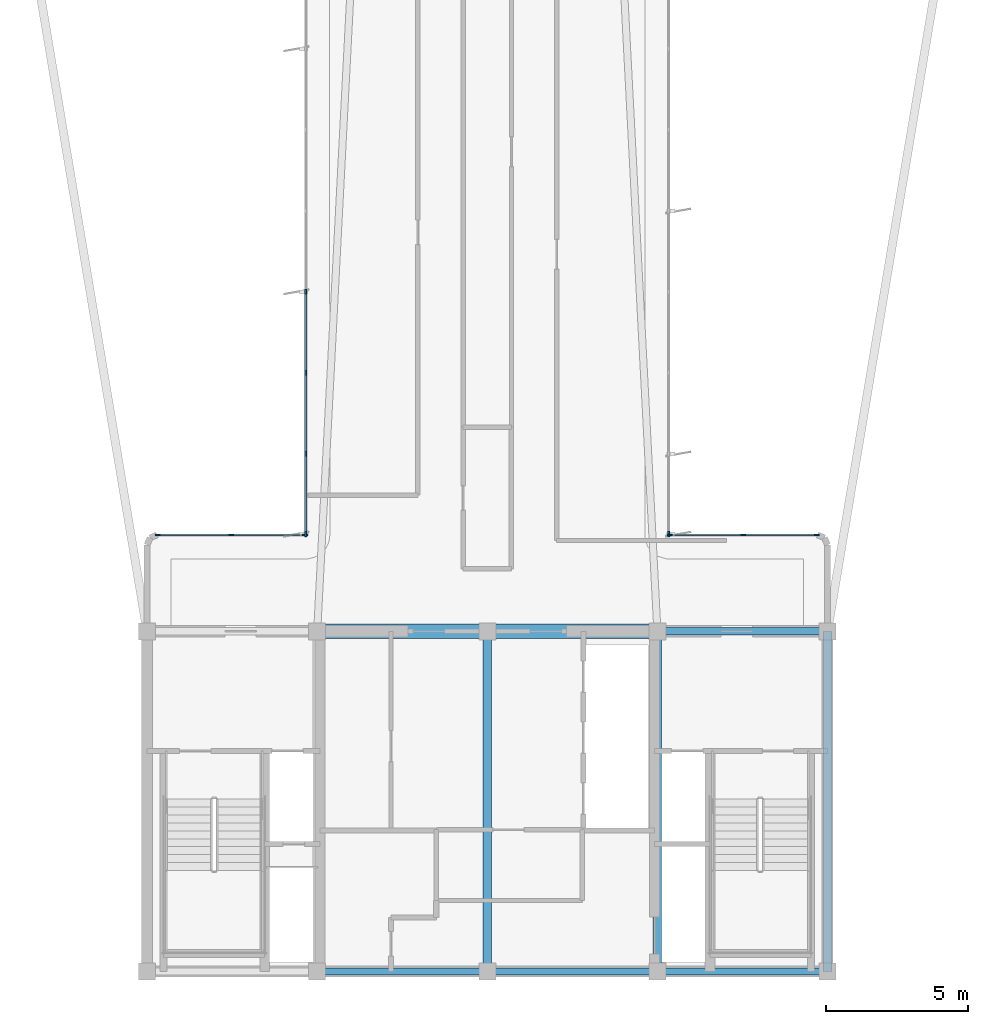
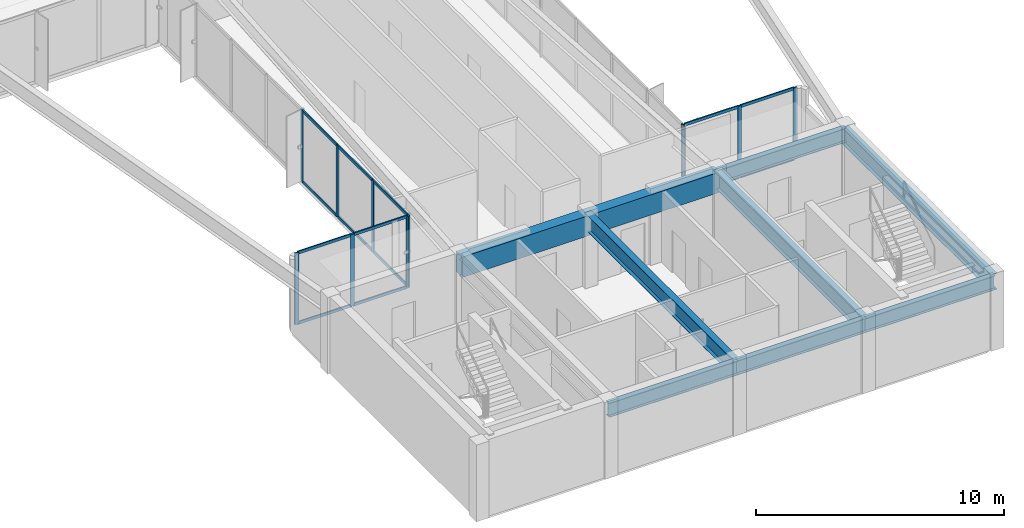
# One storey, part 2 of 15: 25 members, 8 beams, 4 elements without a shape of their own.
"""IFC4 building model written with IfcOpenShell, lengths in metres."""

from ifc_helpers import new_model, si_unit, direction, frame, origin, origin_2d, place, context, subcontext, project, spatial, rectangle, i_section, extrude, source, transform, mapped, material, layer, layer_set, material_profile, profile_set, type_object, element, aggregate, save


model = new_model("IFC4")

# Units and contexts
model_context = context("Model", 3, precision=1e-05, world=origin(), true_north=direction((0.0, 1.0)))
body_context = subcontext(model_context, "Body", "Model", "MODEL_VIEW")
ifc_project = project(units=[si_unit("LENGTHUNIT", "METRE"), si_unit("AREAUNIT", "SQUARE_METRE"), si_unit("VOLUMEUNIT", "CUBIC_METRE"), si_unit("PLANEANGLEUNIT", "RADIAN"), si_unit("MASSUNIT", "GRAM", prefix="KILO")], contexts=[model_context])

# Site, building, storey
site_placement = place(None, origin())
site = spatial("IfcSite", under=ifc_project, at=site_placement, CompositionType="ELEMENT")
building_placement = place(site_placement, origin())
building = spatial("IfcBuilding", under=site, at=building_placement, Name="Brelvock Crest Care Tower", CompositionType="ELEMENT")
storey_placement = place(building_placement, frame((0.0, 0.0, 275.93994140625)))
storey = spatial("IfcBuildingStorey", under=building, at=storey_placement, Name="L70", CompositionType="ELEMENT", Elevation=275.93994140625)

# Beams
ifc_material_1 = material(Name="Steel Grade 350", Category="steel")
ifc_material_profile_1 = material_profile(ifc_material_1, i_section(OverallWidth=0.25, OverallDepth=0.699951171875, WebThickness=0.011962890625, FlangeThickness=0.02001953125, at=origin_2d()), Name="700WB150")
ifc_profile_set_1 = profile_set([ifc_material_profile_1], Name="Steel Grade 350")
beam_type_1 = type_object("IfcBeamType", Name="BM-G4", PredefinedType="BEAM", material=ifc_profile_set_1)
shared_shape_1 = source(origin(), body_context, "Body", "SweptSolid", [
    extrude(i_section(OverallWidth=0.25, OverallDepth=0.699951171875, WebThickness=0.011962890625, FlangeThickness=0.02001953125, at=origin_2d()), origin(), (0.0, 0.0, 1.0), 6.0),
])
for number, where, z_axis, x_axis, name in (
    (1, (30.0, 6.0, 3.18017578125), (1.0, 0.0, 0.0), (0.0, 1.0, 0.0), "BM-CORES-L70-2"),
    (2, (36.0, 6.0, 3.18017578125), (1.0, 0.0, 0.0), (0.0, 1.0, 0.0), "BM-CORES-L70-3"),
    (3, (42.0, 6.0, 3.18017578125), (1.0, 0.0, 0.0), (0.0, 1.0, 0.0), "BM-CORES-L70-4"),
    (4, (42.0, 18.0, 3.18017578125), (1.0, 0.0, 0.0), (0.0, 1.0, 0.0), "BM-COREN-L70-4"),
):
    element("IfcBeam", number, at=place(storey_placement, frame(where, z_axis=z_axis, x_axis=x_axis)), inside=storey, type_object=beam_type_1, Name=name, PredefinedType="BEAM", context=body_context, shape_type="MappedRepresentation", body=[
        mapped(shared_shape_1, transform((0.0, 0.0, 0.0), x_axis=(1.0, 0.0, 0.0), y_axis=(0.0, 1.0, 0.0), z_axis=(0.0, 0.0, 1.0), scale=1.0)),
    ])
ifc_material_profile_2 = material_profile(ifc_material_1, i_section(OverallWidth=0.300048828125, OverallDepth=0.800048828125, WebThickness=0.013916015625, FlangeThickness=0.02197265625, at=origin_2d()), Name="800WB192")
ifc_profile_set_2 = profile_set([ifc_material_profile_2], Name="Steel Grade 350")
beam_type_2 = type_object("IfcBeamType", Name="BM-G5", PredefinedType="BEAM", material=ifc_profile_set_2)
shared_shape_2 = source(origin(), body_context, "Body", "SweptSolid", [
    extrude(i_section(OverallWidth=0.300048828125, OverallDepth=0.800048828125, WebThickness=0.013916015625, FlangeThickness=0.02197265625, at=origin_2d()), origin(), (0.0, 0.0, 1.0), 12.0),
])
for number, where, z_axis, x_axis, name in (
    (5, (36.0, 6.0, 3.130126953125), (0.0, 1.0, 0.0), (-1.0, 0.0, 0.0), "BM-COREX-L70-3"),
    (6, (42.0, 6.0, 3.130126953125), (0.0, 1.0, 0.0), (-1.0, 0.0, 0.0), "BM-COREX-L70-4"),
    (7, (48.0, 6.0, 3.130126953125), (0.0, 1.0, 0.0), (-1.0, 0.0, 0.0), "BM-COREX-L70-5"),
):
    element("IfcBeam", number, at=place(storey_placement, frame(where, z_axis=z_axis, x_axis=x_axis)), inside=storey, type_object=beam_type_2, Name=name, PredefinedType="BEAM", context=body_context, shape_type="MappedRepresentation", body=[
        mapped(shared_shape_2, transform((0.0, 0.0, 0.0), x_axis=(1.0, 0.0, 0.0), y_axis=(0.0, 1.0, 0.0), z_axis=(0.0, 0.0, 1.0), scale=1.0)),
    ])
ifc_material_2 = material(Name="Concrete S65 (65 MPa)", Category="concrete")
ifc_material_profile_3 = material_profile(ifc_material_2, rectangle(XDim=0.5, YDim=1.0, at=origin_2d()), Name="RC500x1000")
ifc_profile_set_3 = profile_set([ifc_material_profile_3], Name="Concrete S65 (65 MPa)")
beam_type_3 = type_object("IfcBeamType", Name="BM-LN2", PredefinedType="LINTEL", material=ifc_profile_set_3)
shared_shape_3 = source(origin(), body_context, "Body", "SweptSolid", [
    extrude(rectangle(XDim=0.5, YDim=1.0, at=origin_2d()), origin(), (0.0, 0.0, 1.0), 12.0),
])
beam_placement = place(storey_placement, frame((30.0, 18.0, 3.030029296875), z_axis=(1.0, 0.0, 0.0), x_axis=(0.0, 1.0, 0.0)))
element("IfcBeam", 8, at=beam_placement, inside=storey, type_object=beam_type_3, Name="L70 Core Coupling Lintel Beam", PredefinedType="LINTEL", context=body_context, shape_type="MappedRepresentation", body=[
    mapped(shared_shape_3, transform((0.0, 0.0, 0.0), x_axis=(1.0, 0.0, 0.0), y_axis=(0.0, 1.0, 0.0), z_axis=(0.0, 0.0, 1.0), scale=1.0)),
])

# Curtain wall, members
ifc_material_3 = material(Name="Dark Glass Double Glazed Low-E", Category="glass")
ifc_layer = layer(ifc_material_3, 0.239990234375, Name="CWS-5")
ifc_layer_set = layer_set([ifc_layer], Name="Dark Glass Double Glazed Low-E")
curtain_wall_type = type_object("IfcCurtainWallType", Name="CWS-5", PredefinedType="NOTDEFINED", material=ifc_layer_set)
curtain_wall_1_placement = place(storey_placement, origin())
curtain_wall_1 = element("IfcCurtainWall", 9, at=curtain_wall_1_placement, inside=storey, type_object=curtain_wall_type, Name="L70 Curtain Wall E10", PredefinedType="NOTDEFINED")
ifc_material_4 = material(Name="Aluminium 6063-T6", Category="aluminium")
ifc_material_profile_4 = material_profile(ifc_material_4, rectangle(XDim=0.06005859375, YDim=0.179931640625, at=origin_2d()), Name="ALU60x180")
ifc_profile_set_4 = profile_set([ifc_material_profile_4], Name="Aluminium 6063-T6")
member_type_1 = type_object("IfcMemberType", Name="CWM-2", PredefinedType="MULLION", material=ifc_profile_set_4)
shared_shape_4 = source(origin(), body_context, "Body", "SweptSolid", [
    extrude(rectangle(XDim=0.06005859375, YDim=0.179931640625, at=origin_2d()), origin(), (0.0, 0.0, 1.0), 3.530029296875),
])
member_1_placement = place(storey_placement, frame((24.3798828125, 21.39990234375, 0.0), z_axis=(0.0, 0.0, 1.0), x_axis=(0.0, 1.0, 0.0)))
member_1 = element("IfcMember", 10, at=member_1_placement, type_object=member_type_1, Name="CW-5 mullion 1", PredefinedType="MULLION", context=body_context, shape_type="MappedRepresentation", body=[
    mapped(shared_shape_4, transform((0.0, 0.0, 0.0), x_axis=(1.0, 0.0, 0.0), y_axis=(0.0, 1.0, 0.0), z_axis=(0.0, 0.0, 1.0), scale=1.0)),
])
member_2_placement = place(storey_placement, frame((26.97509765625, 21.39990234375, 0.0), z_axis=(0.0, 0.0, 1.0), x_axis=(0.0, 1.0, 0.0)))
member_2 = element("IfcMember", 11, at=member_2_placement, type_object=member_type_1, Name="CW-5 mullion 2", PredefinedType="MULLION", context=body_context, shape_type="MappedRepresentation", body=[
    mapped(shared_shape_4, transform((0.0, 0.0, 0.0), x_axis=(1.0, 0.0, 0.0), y_axis=(0.0, 1.0, 0.0), z_axis=(0.0, 0.0, 1.0), scale=1.0)),
])
member_3_placement = place(storey_placement, frame((29.570068359375, 21.39990234375, 0.0), z_axis=(0.0, 0.0, 1.0), x_axis=(0.0, 1.0, 0.0)))
member_3 = element("IfcMember", 12, at=member_3_placement, type_object=member_type_1, Name="CW-5 mullion 3", PredefinedType="MULLION", context=body_context, shape_type="MappedRepresentation", body=[
    mapped(shared_shape_4, transform((0.0, 0.0, 0.0), x_axis=(1.0, 0.0, 0.0), y_axis=(0.0, 1.0, 0.0), z_axis=(0.0, 0.0, 1.0), scale=1.0)),
])

curtain_wall_2_placement = place(storey_placement, origin())
curtain_wall_2 = element("IfcCurtainWall", 13, at=curtain_wall_2_placement, inside=storey, type_object=curtain_wall_type, Name="L70 Curtain Wall E11", PredefinedType="NOTDEFINED")
member_4_placement = place(storey_placement, frame((29.60009765625, 21.429931640625, 0.0), z_axis=(0.0, 0.0, 1.0), x_axis=(-1.0, 0.0, 0.0)))
member_4 = element("IfcMember", 14, at=member_4_placement, type_object=member_type_1, Name="CW-5 mullion 1", PredefinedType="MULLION", context=body_context, shape_type="MappedRepresentation", body=[
    mapped(shared_shape_4, transform((0.0, 0.0, 0.0), x_axis=(1.0, 0.0, 0.0), y_axis=(0.0, 1.0, 0.0), z_axis=(0.0, 0.0, 1.0), scale=1.0)),
])
member_5_placement = place(storey_placement, frame((29.60009765625, 24.257080078125, 0.0), z_axis=(0.0, 0.0, 1.0), x_axis=(-1.0, 0.0, 0.0)))
member_5 = element("IfcMember", 15, at=member_5_placement, type_object=member_type_1, Name="CW-5 mullion 2", PredefinedType="MULLION", context=body_context, shape_type="MappedRepresentation", body=[
    mapped(shared_shape_4, transform((0.0, 0.0, 0.0), x_axis=(1.0, 0.0, 0.0), y_axis=(0.0, 1.0, 0.0), z_axis=(0.0, 0.0, 1.0), scale=1.0)),
])
member_6_placement = place(storey_placement, frame((29.60009765625, 27.1142578125, 0.0), z_axis=(0.0, 0.0, 1.0), x_axis=(-1.0, 0.0, 0.0)))
member_6 = element("IfcMember", 16, at=member_6_placement, type_object=member_type_1, Name="CW-5 mullion 3", PredefinedType="MULLION", context=body_context, shape_type="MappedRepresentation", body=[
    mapped(shared_shape_4, transform((0.0, 0.0, 0.0), x_axis=(1.0, 0.0, 0.0), y_axis=(0.0, 1.0, 0.0), z_axis=(0.0, 0.0, 1.0), scale=1.0)),
])
member_7_placement = place(storey_placement, frame((29.60009765625, 29.971435546875, 0.0), z_axis=(0.0, 0.0, 1.0), x_axis=(-1.0, 0.0, 0.0)))
member_7 = element("IfcMember", 17, at=member_7_placement, type_object=member_type_1, Name="CW-5 mullion 4", PredefinedType="MULLION", context=body_context, shape_type="MappedRepresentation", body=[
    mapped(shared_shape_4, transform((0.0, 0.0, 0.0), x_axis=(1.0, 0.0, 0.0), y_axis=(0.0, 1.0, 0.0), z_axis=(0.0, 0.0, 1.0), scale=1.0)),
])

# Curtain wall, member
curtain_wall_3_placement = place(storey_placement, origin())
curtain_wall_3 = element("IfcCurtainWall", 18, at=curtain_wall_3_placement, inside=storey, type_object=curtain_wall_type, Name="L70 Curtain Wall E45", PredefinedType="NOTDEFINED")
member_8_placement = place(storey_placement, frame((42.39990234375, 21.429931640625, 0.0), z_axis=(0.0, 0.0, 1.0), x_axis=(1.0, 0.0, 0.0)))
member_8 = element("IfcMember", 19, at=member_8_placement, type_object=member_type_1, Name="CW-5 mullion 8", PredefinedType="MULLION", context=body_context, shape_type="MappedRepresentation", body=[
    mapped(shared_shape_4, transform((0.0, 0.0, 0.0), x_axis=(1.0, 0.0, 0.0), y_axis=(0.0, 1.0, 0.0), z_axis=(0.0, 0.0, 1.0), scale=1.0)),
])
aggregate(curtain_wall_3, [member_8])

# Curtain wall, members
curtain_wall_4_placement = place(storey_placement, origin())
curtain_wall_4 = element("IfcCurtainWall", 20, at=curtain_wall_4_placement, inside=storey, type_object=curtain_wall_type, Name="L70 Curtain Wall E46", PredefinedType="NOTDEFINED")
member_9_placement = place(storey_placement, frame((42.429931640625, 21.39990234375, 0.0), z_axis=(0.0, 0.0, 1.0), x_axis=(0.0, 1.0, 0.0)))
member_9 = element("IfcMember", 21, at=member_9_placement, type_object=member_type_1, Name="CW-5 mullion 1", PredefinedType="MULLION", context=body_context, shape_type="MappedRepresentation", body=[
    mapped(shared_shape_4, transform((0.0, 0.0, 0.0), x_axis=(1.0, 0.0, 0.0), y_axis=(0.0, 1.0, 0.0), z_axis=(0.0, 0.0, 1.0), scale=1.0)),
])
member_10_placement = place(storey_placement, frame((45.02490234375, 21.39990234375, 0.0), z_axis=(0.0, 0.0, 1.0), x_axis=(0.0, 1.0, 0.0)))
member_10 = element("IfcMember", 22, at=member_10_placement, type_object=member_type_1, Name="CW-5 mullion 2", PredefinedType="MULLION", context=body_context, shape_type="MappedRepresentation", body=[
    mapped(shared_shape_4, transform((0.0, 0.0, 0.0), x_axis=(1.0, 0.0, 0.0), y_axis=(0.0, 1.0, 0.0), z_axis=(0.0, 0.0, 1.0), scale=1.0)),
])
member_11_placement = place(storey_placement, frame((47.6201171875, 21.39990234375, 0.0), z_axis=(0.0, 0.0, 1.0), x_axis=(0.0, 1.0, 0.0)))
member_11 = element("IfcMember", 23, at=member_11_placement, type_object=member_type_1, Name="CW-5 mullion 3", PredefinedType="MULLION", context=body_context, shape_type="MappedRepresentation", body=[
    mapped(shared_shape_4, transform((0.0, 0.0, 0.0), x_axis=(1.0, 0.0, 0.0), y_axis=(0.0, 1.0, 0.0), z_axis=(0.0, 0.0, 1.0), scale=1.0)),
])

# Member
ifc_material_profile_5 = material_profile(ifc_material_4, rectangle(XDim=0.06005859375, YDim=0.139892578125, at=origin_2d()), Name="ALU60x140")
ifc_profile_set_5 = profile_set([ifc_material_profile_5], Name="Aluminium 6063-T6")
member_type_2 = type_object("IfcMemberType", Name="CWT-2", PredefinedType="USERDEFINED", material=ifc_profile_set_5)
shared_shape_5 = source(origin(), body_context, "Body", "SweptSolid", [
    extrude(rectangle(XDim=0.06005859375, YDim=0.139892578125, at=origin_2d()), origin(), (0.0, 0.0, 1.0), 2.53515625),
])
member_12_placement = place(storey_placement, frame((24.409912109375, 21.39990234375, 0.030029296875), z_axis=(1.0, 0.0, 0.0), x_axis=(0.0, 1.0, 0.0)))
member_12 = element("IfcMember", 24, at=member_12_placement, type_object=member_type_2, Name="CW-5 transom 1.1", ObjectType="TRANSOM", PredefinedType="USERDEFINED", context=body_context, shape_type="MappedRepresentation", body=[
    mapped(shared_shape_5, transform((0.0, 0.0, 0.0), x_axis=(1.0, 0.0, 0.0), y_axis=(0.0, 1.0, 0.0), z_axis=(0.0, 0.0, 1.0), scale=1.0)),
])

member_13_placement = place(storey_placement, frame((24.409912109375, 21.39990234375, 3.5), z_axis=(1.0, 0.0, 0.0), x_axis=(0.0, 1.0, 0.0)))
member_13 = element("IfcMember", 25, at=member_13_placement, type_object=member_type_2, Name="CW-5 transom 1.2", ObjectType="TRANSOM", PredefinedType="USERDEFINED", context=body_context, shape_type="MappedRepresentation", body=[
    mapped(shared_shape_5, transform((0.0, 0.0, 0.0), x_axis=(1.0, 0.0, 0.0), y_axis=(0.0, 1.0, 0.0), z_axis=(0.0, 0.0, 1.0), scale=1.0)),
])

member_14_placement = place(storey_placement, frame((27.0048828125, 21.39990234375, 0.030029296875), z_axis=(1.0, 0.0, 0.0), x_axis=(0.0, 1.0, 0.0)))
member_14 = element("IfcMember", 26, at=member_14_placement, type_object=member_type_2, Name="CW-5 transom 2.1", ObjectType="TRANSOM", PredefinedType="USERDEFINED", context=body_context, shape_type="MappedRepresentation", body=[
    mapped(shared_shape_5, transform((0.0, 0.0, 0.0), x_axis=(1.0, 0.0, 0.0), y_axis=(0.0, 1.0, 0.0), z_axis=(0.0, 0.0, 1.0), scale=1.0)),
])

member_15_placement = place(storey_placement, frame((27.0048828125, 21.39990234375, 3.5), z_axis=(1.0, 0.0, 0.0), x_axis=(0.0, 1.0, 0.0)))
member_15 = element("IfcMember", 27, at=member_15_placement, type_object=member_type_2, Name="CW-5 transom 2.2", ObjectType="TRANSOM", PredefinedType="USERDEFINED", context=body_context, shape_type="MappedRepresentation", body=[
    mapped(shared_shape_5, transform((0.0, 0.0, 0.0), x_axis=(1.0, 0.0, 0.0), y_axis=(0.0, 1.0, 0.0), z_axis=(0.0, 0.0, 1.0), scale=1.0)),
])

aggregate(curtain_wall_1, [member_1, member_2, member_3, member_12, member_13, member_14, member_15])

member_16_placement = place(storey_placement, frame((42.4599609375, 21.39990234375, 0.030029296875), z_axis=(1.0, 0.0, 0.0), x_axis=(0.0, 1.0, 0.0)))
member_16 = element("IfcMember", 28, at=member_16_placement, type_object=member_type_2, Name="CW-5 transom 1.1", ObjectType="TRANSOM", PredefinedType="USERDEFINED", context=body_context, shape_type="MappedRepresentation", body=[
    mapped(shared_shape_5, transform((0.0, 0.0, 0.0), x_axis=(1.0, 0.0, 0.0), y_axis=(0.0, 1.0, 0.0), z_axis=(0.0, 0.0, 1.0), scale=1.0)),
])

member_17_placement = place(storey_placement, frame((42.4599609375, 21.39990234375, 3.5), z_axis=(1.0, 0.0, 0.0), x_axis=(0.0, 1.0, 0.0)))
member_17 = element("IfcMember", 29, at=member_17_placement, type_object=member_type_2, Name="CW-5 transom 1.2", ObjectType="TRANSOM", PredefinedType="USERDEFINED", context=body_context, shape_type="MappedRepresentation", body=[
    mapped(shared_shape_5, transform((0.0, 0.0, 0.0), x_axis=(1.0, 0.0, 0.0), y_axis=(0.0, 1.0, 0.0), z_axis=(0.0, 0.0, 1.0), scale=1.0)),
])

member_18_placement = place(storey_placement, frame((45.054931640625, 21.39990234375, 0.030029296875), z_axis=(1.0, 0.0, 0.0), x_axis=(0.0, 1.0, 0.0)))
member_18 = element("IfcMember", 30, at=member_18_placement, type_object=member_type_2, Name="CW-5 transom 2.1", ObjectType="TRANSOM", PredefinedType="USERDEFINED", context=body_context, shape_type="MappedRepresentation", body=[
    mapped(shared_shape_5, transform((0.0, 0.0, 0.0), x_axis=(1.0, 0.0, 0.0), y_axis=(0.0, 1.0, 0.0), z_axis=(0.0, 0.0, 1.0), scale=1.0)),
])

member_19_placement = place(storey_placement, frame((45.054931640625, 21.39990234375, 3.5), z_axis=(1.0, 0.0, 0.0), x_axis=(0.0, 1.0, 0.0)))
member_19 = element("IfcMember", 31, at=member_19_placement, type_object=member_type_2, Name="CW-5 transom 2.2", ObjectType="TRANSOM", PredefinedType="USERDEFINED", context=body_context, shape_type="MappedRepresentation", body=[
    mapped(shared_shape_5, transform((0.0, 0.0, 0.0), x_axis=(1.0, 0.0, 0.0), y_axis=(0.0, 1.0, 0.0), z_axis=(0.0, 0.0, 1.0), scale=1.0)),
])

aggregate(curtain_wall_4, [member_9, member_10, member_11, member_16, member_17, member_18, member_19])

shared_shape_6 = source(origin(), body_context, "Body", "SweptSolid", [
    extrude(rectangle(XDim=0.06005859375, YDim=0.139892578125, at=origin_2d()), origin(), (0.0, 0.0, 1.0), 2.76708984375),
])
member_20_placement = place(storey_placement, frame((29.60009765625, 21.4599609375, 0.030029296875), z_axis=(0.0, 1.0, 0.0), x_axis=(-1.0, 0.0, 0.0)))
member_20 = element("IfcMember", 32, at=member_20_placement, type_object=member_type_2, Name="CW-5 transom 1.1", ObjectType="TRANSOM", PredefinedType="USERDEFINED", context=body_context, shape_type="MappedRepresentation", body=[
    mapped(shared_shape_6, transform((0.0, 0.0, 0.0), x_axis=(1.0, 0.0, 0.0), y_axis=(0.0, 1.0, 0.0), z_axis=(0.0, 0.0, 1.0), scale=1.0)),
])

member_21_placement = place(storey_placement, frame((29.60009765625, 21.4599609375, 3.5), z_axis=(0.0, 1.0, 0.0), x_axis=(-1.0, 0.0, 0.0)))
member_21 = element("IfcMember", 33, at=member_21_placement, type_object=member_type_2, Name="CW-5 transom 1.2", ObjectType="TRANSOM", PredefinedType="USERDEFINED", context=body_context, shape_type="MappedRepresentation", body=[
    mapped(shared_shape_6, transform((0.0, 0.0, 0.0), x_axis=(1.0, 0.0, 0.0), y_axis=(0.0, 1.0, 0.0), z_axis=(0.0, 0.0, 1.0), scale=1.0)),
])

shared_shape_7 = source(origin(), body_context, "Body", "SweptSolid", [
    extrude(rectangle(XDim=0.06005859375, YDim=0.139892578125, at=origin_2d()), origin(), (0.0, 0.0, 1.0), 2.797119140625),
])
member_22_placement = place(storey_placement, frame((29.60009765625, 24.287109375, 0.030029296875), z_axis=(0.0, 1.0, 0.0), x_axis=(-1.0, 0.0, 0.0)))
member_22 = element("IfcMember", 34, at=member_22_placement, type_object=member_type_2, Name="CW-5 transom 2.1", ObjectType="TRANSOM", PredefinedType="USERDEFINED", context=body_context, shape_type="MappedRepresentation", body=[
    mapped(shared_shape_7, transform((0.0, 0.0, 0.0), x_axis=(1.0, 0.0, 0.0), y_axis=(0.0, 1.0, 0.0), z_axis=(0.0, 0.0, 1.0), scale=1.0)),
])

member_23_placement = place(storey_placement, frame((29.60009765625, 24.287109375, 3.5), z_axis=(0.0, 1.0, 0.0), x_axis=(-1.0, 0.0, 0.0)))
member_23 = element("IfcMember", 35, at=member_23_placement, type_object=member_type_2, Name="CW-5 transom 2.2", ObjectType="TRANSOM", PredefinedType="USERDEFINED", context=body_context, shape_type="MappedRepresentation", body=[
    mapped(shared_shape_7, transform((0.0, 0.0, 0.0), x_axis=(1.0, 0.0, 0.0), y_axis=(0.0, 1.0, 0.0), z_axis=(0.0, 0.0, 1.0), scale=1.0)),
])

member_24_placement = place(storey_placement, frame((29.60009765625, 27.144287109375, 0.030029296875), z_axis=(0.0, 1.0, 0.0), x_axis=(-1.0, 0.0, 0.0)))
member_24 = element("IfcMember", 36, at=member_24_placement, type_object=member_type_2, Name="CW-5 transom 3.1", ObjectType="TRANSOM", PredefinedType="USERDEFINED", context=body_context, shape_type="MappedRepresentation", body=[
    mapped(shared_shape_7, transform((0.0, 0.0, 0.0), x_axis=(1.0, 0.0, 0.0), y_axis=(0.0, 1.0, 0.0), z_axis=(0.0, 0.0, 1.0), scale=1.0)),
])

member_25_placement = place(storey_placement, frame((29.60009765625, 27.144287109375, 3.5), z_axis=(0.0, 1.0, 0.0), x_axis=(-1.0, 0.0, 0.0)))
member_25 = element("IfcMember", 37, at=member_25_placement, type_object=member_type_2, Name="CW-5 transom 3.2", ObjectType="TRANSOM", PredefinedType="USERDEFINED", context=body_context, shape_type="MappedRepresentation", body=[
    mapped(shared_shape_7, transform((0.0, 0.0, 0.0), x_axis=(1.0, 0.0, 0.0), y_axis=(0.0, 1.0, 0.0), z_axis=(0.0, 0.0, 1.0), scale=1.0)),
])

aggregate(curtain_wall_2, [member_4, member_5, member_6, member_7, member_20, member_21, member_22, member_23, member_24, member_25])

save(model, "model.ifc")
